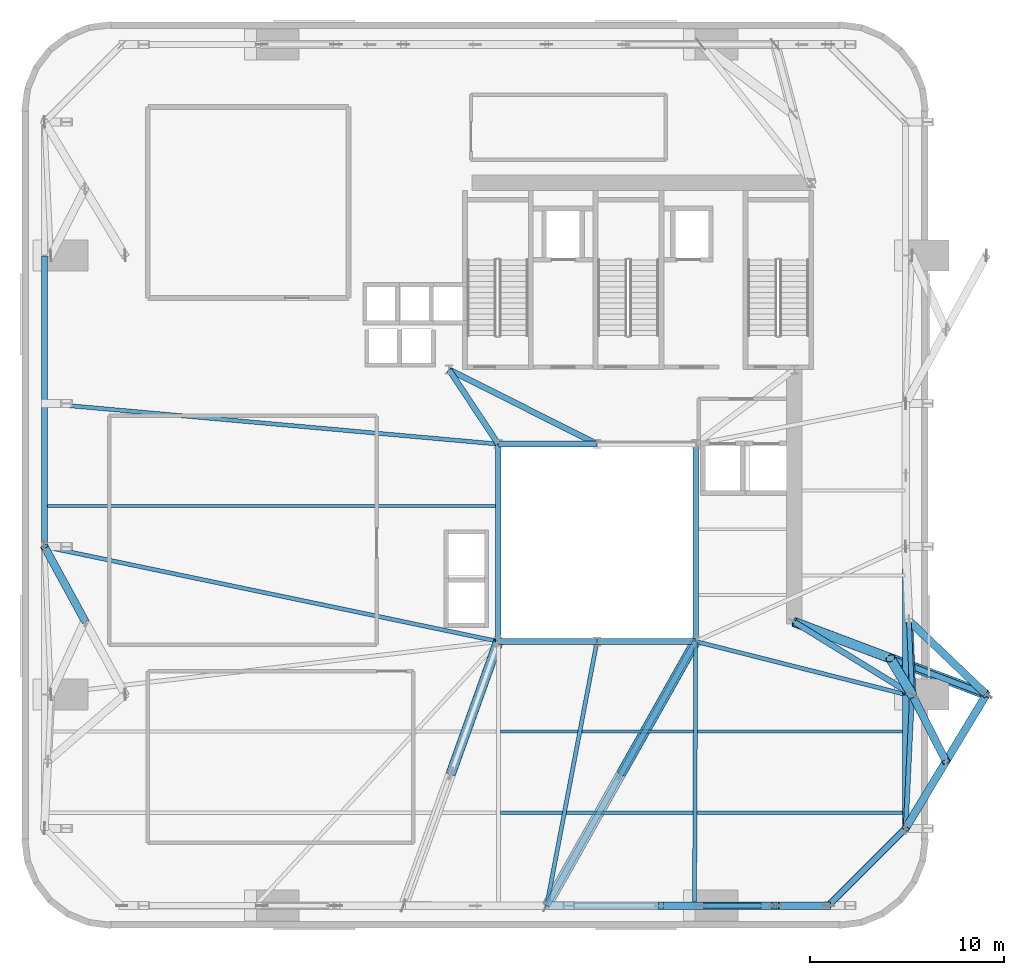
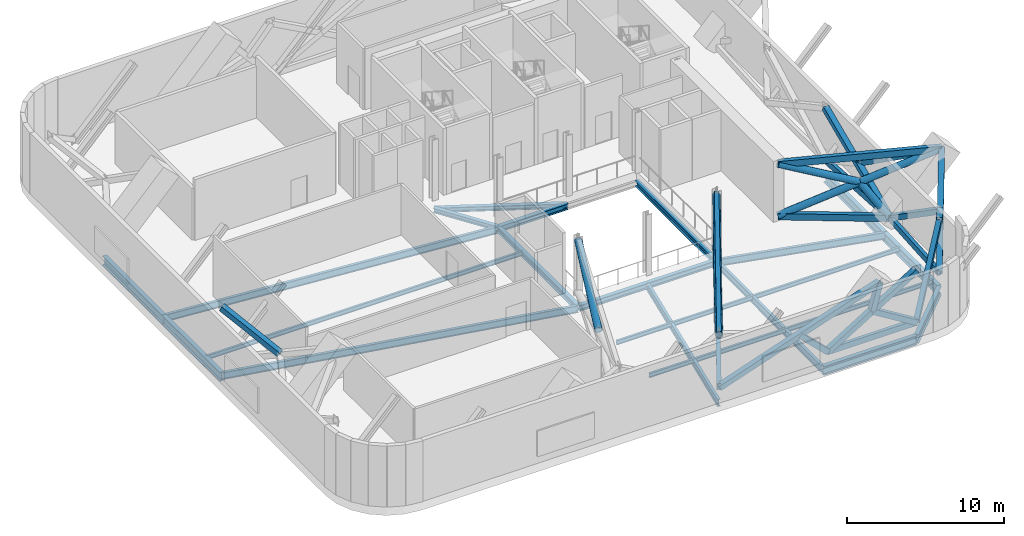
# One storey, part 2 of 12: 25 members, 21 beams.
"""IFC4 building model written with IfcOpenShell, lengths in metres."""

from ifc_helpers import new_model, si_unit, direction, frame, origin, origin_2d, place, context, subcontext, project, spatial, hollow_rectangle, hollow_circle, i_section, extrude, source, transform, mapped, material, material_profile, profile_set, type_object, element, save


model = new_model("IFC4")

# Units and contexts
model_context = context("Model", 3, precision=1e-05, world=origin(), true_north=direction((0.0, 1.0)))
body_context = subcontext(model_context, "Body", "Model", "MODEL_VIEW")
ifc_project = project(units=[si_unit("LENGTHUNIT", "METRE"), si_unit("AREAUNIT", "SQUARE_METRE"), si_unit("VOLUMEUNIT", "CUBIC_METRE"), si_unit("PLANEANGLEUNIT", "RADIAN"), si_unit("MASSUNIT", "GRAM", prefix="KILO")], contexts=[model_context])

# Site, building, storey
site_placement = place(None, origin())
site = spatial("IfcSite", under=ifc_project, at=site_placement, CompositionType="ELEMENT")
building_placement = place(site_placement, origin())
building = spatial("IfcBuilding", under=site, at=building_placement, Name="Vardaveli Station Tower", CompositionType="ELEMENT")
storey_placement = place(building_placement, frame((0.0, 0.0, 166.800048828125)))
storey = spatial("IfcBuildingStorey", under=building, at=storey_placement, Name="L43", CompositionType="ELEMENT", Elevation=166.800048828125)

# Beams
ifc_material_1 = material(Name="Structural steel S355J2", Category="steel")
ifc_material_profile_1 = material_profile(ifc_material_1, i_section(OverallWidth=0.300048828125, OverallDepth=0.449951171875, WebThickness=0.013916015625, FlangeThickness=0.02587890625, FilletRadius=0.027099609375, at=origin_2d()), Name="HEB 450")
ifc_profile_set_1 = profile_set([ifc_material_profile_1], Name="Structural steel S355J2")
beam_type_1 = type_object("IfcBeamType", Name="BM-HEB450", PredefinedType="BEAM", material=ifc_profile_set_1)
shared_shape_1 = source(origin(), body_context, "Body", "SweptSolid", [
    extrude(i_section(OverallWidth=0.300048828125, OverallDepth=0.449951171875, WebThickness=0.013916015625, FlangeThickness=0.02587890625, FilletRadius=0.027099609375, at=origin_2d()), origin(), (0.0, 0.0, 1.0), 5.06005859375),
])
for number, where, z_axis, x_axis, name in (
    (1, (31.219970703125, 16.60009765625, -0.875), (1.0, 0.0, 0.0), (0.0, 1.0, 0.0), "ABM-L43-01"),
    (2, (36.280029296875, 26.800048828125, -0.875), (-1.0, 0.0, 0.0), (0.0, -1.0, 0.0), "ABM-L43-05"),
):
    element("IfcBeam", number, at=place(storey_placement, frame(where, z_axis=z_axis, x_axis=x_axis)), inside=storey, type_object=beam_type_1, Name=name, PredefinedType="BEAM", context=body_context, shape_type="MappedRepresentation", body=[
        mapped(shared_shape_1, transform((0.0, 0.0, 0.0), scale=1.0)),
    ])
shared_shape_2 = source(origin(), body_context, "Body", "SweptSolid", [
    extrude(i_section(OverallWidth=0.300048828125, OverallDepth=0.449951171875, WebThickness=0.013916015625, FlangeThickness=0.02587890625, FilletRadius=0.027099609375, at=origin_2d()), origin(), (0.0, 0.0, 1.0), 5.059814453125),
])
beam_1_placement = place(storey_placement, frame((36.320068359375, 16.60009765625, -0.875), z_axis=(1.0, 0.0, 0.0), x_axis=(0.0, 1.0, 0.0)))
element("IfcBeam", 3, at=beam_1_placement, inside=storey, type_object=beam_type_1, Name="ABM-L43-02", PredefinedType="BEAM", context=body_context, shape_type="MappedRepresentation", body=[
    mapped(shared_shape_2, transform((0.0, 0.0, 0.0), scale=1.0)),
])
shared_shape_3 = source(origin(), body_context, "Body", "SweptSolid", [
    extrude(i_section(OverallWidth=0.300048828125, OverallDepth=0.449951171875, WebThickness=0.013916015625, FlangeThickness=0.02587890625, FilletRadius=0.027099609375, at=origin_2d()), origin(), (0.0, 0.0, 1.0), 10.159912109375),
])
for number, where, z_axis, x_axis, name in (
    (4, (41.39990234375, 16.6201171875, -0.875), (0.0, 1.0, 0.0), (-1.0, 0.0, 0.0), "ABM-L43-03"),
    (5, (31.199951171875, 26.780029296875, -0.875), (0.0, -1.0, 0.0), (1.0, 0.0, 0.0), "ABM-L43-06"),
):
    element("IfcBeam", number, at=place(storey_placement, frame(where, z_axis=z_axis, x_axis=x_axis)), inside=storey, type_object=beam_type_1, Name=name, PredefinedType="BEAM", context=body_context, shape_type="MappedRepresentation", body=[
        mapped(shared_shape_3, transform((0.0, 0.0, 0.0), scale=1.0)),
    ])
ifc_material_profile_2 = material_profile(ifc_material_1, i_section(OverallWidth=0.300048828125, OverallDepth=0.360107421875, WebThickness=0.012451171875, FlangeThickness=0.0224609375, FilletRadius=0.027099609375, at=origin_2d()), Name="HEB 360")
ifc_profile_set_2 = profile_set([ifc_material_profile_2], Name="Structural steel S355J2")
beam_type_2 = type_object("IfcBeamType", Name="BM-HEB360", PredefinedType="BEAM", material=ifc_profile_set_2)
shared_shape_4 = source(origin(), body_context, "Body", "SweptSolid", [
    extrude(i_section(OverallWidth=0.300048828125, OverallDepth=0.360107421875, WebThickness=0.012451171875, FlangeThickness=0.0224609375, FilletRadius=0.027099609375, at=origin_2d()), origin(), (0.0, 0.0, 1.0), 4.577880859375),
])
beam_2_placement = place(storey_placement, frame((31.18896484375, 26.816650390625, -0.830078125), z_axis=(-0.55218702139, 0.833720272879, 0.0), x_axis=(-0.833720272879, -0.55218702139, 0.0)))
element("IfcBeam", 6, at=beam_2_placement, inside=storey, type_object=beam_type_2, Name="CBM-L43-01", PredefinedType="BEAM", context=body_context, shape_type="MappedRepresentation", body=[
    mapped(shared_shape_4, transform((0.0, 0.0, 0.0), scale=1.0)),
])
shared_shape_5 = source(origin(), body_context, "Body", "SweptSolid", [
    extrude(i_section(OverallWidth=0.300048828125, OverallDepth=0.360107421875, WebThickness=0.012451171875, FlangeThickness=0.0224609375, FilletRadius=0.027099609375, at=origin_2d()), origin(), (0.0, 0.0, 1.0), 8.524169921875),
])
beam_3_placement = place(storey_placement, frame((28.66796875, 30.64111328125, -0.830078125), z_axis=(0.893255584708, -0.449549174605, 0.0), x_axis=(0.449549174605, 0.893255584708, 0.0)))
element("IfcBeam", 7, at=beam_3_placement, inside=storey, type_object=beam_type_2, Name="CBM-L43-03", PredefinedType="BEAM", context=body_context, shape_type="MappedRepresentation", body=[
    mapped(shared_shape_5, transform((0.0, 0.0, 0.0), scale=1.0)),
])
ifc_material_2 = material(Name="Structural steel S460M", Category="steel")
ifc_material_profile_3 = material_profile(ifc_material_2, i_section(OverallWidth=0.303955078125, OverallDepth=0.716064453125, WebThickness=0.02099609375, FlangeThickness=0.0400390625, FilletRadius=0.027099609375, at=origin_2d()), Name="HEM 700")
ifc_profile_set_3 = profile_set([ifc_material_profile_3], Name="Structural steel S460M")
beam_type_3 = type_object("IfcBeamType", Name="BM-HEM700", PredefinedType="BEAM", material=ifc_profile_set_3)
shared_shape_6 = source(origin(), body_context, "Body", "SweptSolid", [
    extrude(i_section(OverallWidth=0.303955078125, OverallDepth=0.716064453125, WebThickness=0.02099609375, FlangeThickness=0.0400390625, FilletRadius=0.027099609375, at=origin_2d()), origin(), (0.0, 0.0, 1.0), 7.60009765625),
])
for number, where, z_axis, x_axis, name in (
    (8, (52.25, 13.8798828125, -1.008056640625), (0.0, 1.0, 0.0), (-1.0, 0.0, 0.0), "RBM-L43-07"),
    (9, (7.75, 36.52001953125, -1.008056640625), (0.0, -1.0, 0.0), (1.0, 0.0, 0.0), "RBM-L43-19"),
):
    element("IfcBeam", number, at=place(storey_placement, frame(where, z_axis=z_axis, x_axis=x_axis)), inside=storey, type_object=beam_type_3, Name=name, PredefinedType="BEAM", context=body_context, shape_type="MappedRepresentation", body=[
        mapped(shared_shape_6, transform((0.0, 0.0, 0.0), scale=1.0)),
    ])
shared_shape_7 = source(origin(), body_context, "Body", "SweptSolid", [
    extrude(i_section(OverallWidth=0.303955078125, OverallDepth=0.716064453125, WebThickness=0.02099609375, FlangeThickness=0.0400390625, FilletRadius=0.027099609375, at=origin_2d()), origin(), (0.0, 0.0, 1.0), 7.35986328125),
])
beam_4_placement = place(storey_placement, frame((7.75, 28.8798828125, -1.008056640625), z_axis=(0.0, -1.0, 0.0), x_axis=(1.0, 0.0, 0.0)))
element("IfcBeam", 10, at=beam_4_placement, inside=storey, type_object=beam_type_3, Name="RBM-L43-20", PredefinedType="BEAM", context=body_context, shape_type="MappedRepresentation", body=[
    mapped(shared_shape_7, transform((0.0, 0.0, 0.0), scale=1.0)),
])
shared_shape_8 = source(origin(), body_context, "Body", "SweptSolid", [
    extrude(i_section(OverallWidth=0.303955078125, OverallDepth=0.716064453125, WebThickness=0.02099609375, FlangeThickness=0.0400390625, FilletRadius=0.027099609375, at=origin_2d()), origin(), (0.0, 0.0, 1.0), 6.869873046875),
])
beam_5_placement = place(storey_placement, frame((41.360107421875, 2.949951171875, -1.008056640625), z_axis=(1.0, 0.0, 0.0), x_axis=(0.0, 1.0, 0.0)))
element("IfcBeam", 11, at=beam_5_placement, inside=storey, type_object=beam_type_3, Name="RBM-L43-04", PredefinedType="BEAM", context=body_context, shape_type="MappedRepresentation", body=[
    mapped(shared_shape_8, transform((0.0, 0.0, 0.0), scale=1.0)),
])
shared_shape_9 = source(origin(), body_context, "Body", "SweptSolid", [
    extrude(i_section(OverallWidth=0.303955078125, OverallDepth=0.716064453125, WebThickness=0.02099609375, FlangeThickness=0.0400390625, FilletRadius=0.027099609375, at=origin_2d()), origin(), (0.0, 0.0, 1.0), 5.61669921875),
])
beam_6_placement = place(storey_placement, frame((48.26416015625, 2.964111328125, -1.008056640625), z_axis=(0.707106781187, 0.707106781187, 0.0), x_axis=(-0.707106781187, 0.707106781187, 0.0)))
element("IfcBeam", 12, at=beam_6_placement, inside=storey, type_object=beam_type_3, Name="RBM-L43-05", PredefinedType="BEAM", context=body_context, shape_type="MappedRepresentation", body=[
    mapped(shared_shape_9, transform((0.0, 0.0, 0.0), scale=1.0)),
])
shared_shape_10 = source(origin(), body_context, "Body", "SweptSolid", [
    extrude(i_section(OverallWidth=0.303955078125, OverallDepth=0.716064453125, WebThickness=0.02099609375, FlangeThickness=0.0400390625, FilletRadius=0.027099609375, at=origin_2d()), origin(), (0.0, 0.0, 1.0), 6.8701171875),
])
beam_7_placement = place(storey_placement, frame((52.25, 6.969970703125, -1.008056640625), z_axis=(0.0, 1.0, 0.0), x_axis=(-1.0, 0.0, 0.0)))
element("IfcBeam", 13, at=beam_7_placement, inside=storey, type_object=beam_type_3, Name="RBM-L43-06", PredefinedType="BEAM", context=body_context, shape_type="MappedRepresentation", body=[
    mapped(shared_shape_10, transform((0.0, 0.0, 0.0), scale=1.0)),
])
ifc_material_profile_4 = material_profile(ifc_material_1, i_section(OverallWidth=0.159912109375, OverallDepth=0.330078125, WebThickness=0.007568359375, FlangeThickness=0.011474609375, FilletRadius=0.01806640625, at=origin_2d()), Name="IPE 330")
ifc_profile_set_4 = profile_set([ifc_material_profile_4], Name="Structural steel S355J2")
beam_type_4 = type_object("IfcBeamType", Name="BM-IPE330", PredefinedType="JOIST", material=ifc_profile_set_4)
shared_shape_11 = source(origin(), body_context, "Body", "SweptSolid", [
    extrude(i_section(OverallWidth=0.159912109375, OverallDepth=0.330078125, WebThickness=0.007568359375, FlangeThickness=0.011474609375, FilletRadius=0.01806640625, at=origin_2d()), origin(), (0.0, 0.0, 1.0), 23.2978515625),
])
beam_8_placement = place(storey_placement, frame((7.7900390625, 23.60009765625, -0.81494140625), z_axis=(1.0, 0.0, 0.0), x_axis=(0.0, 1.0, 0.0)))
element("IfcBeam", 14, at=beam_8_placement, inside=storey, type_object=beam_type_4, Name="SJ-L43-W06", PredefinedType="JOIST", context=body_context, shape_type="MappedRepresentation", body=[
    mapped(shared_shape_11, transform((0.0, 0.0, 0.0), scale=1.0)),
])
shared_shape_12 = source(origin(), body_context, "Body", "SweptSolid", [
    extrude(i_section(OverallWidth=0.159912109375, OverallDepth=0.330078125, WebThickness=0.007568359375, FlangeThickness=0.011474609375, FilletRadius=0.01806640625, at=origin_2d()), origin(), (0.0, 0.0, 1.0), 20.89794921875),
])
for number, where, z_axis, x_axis, name in (
    (15, (31.31201171875, 7.75, -0.81494140625), (1.0, 0.0, 0.0), (0.0, 1.0, 0.0), "SJ-L43-S02"),
    (16, (31.31201171875, 11.949951171875, -0.81494140625), (1.0, 0.0, 0.0), (0.0, 1.0, 0.0), "SJ-L43-S04"),
):
    element("IfcBeam", number, at=place(storey_placement, frame(where, z_axis=z_axis, x_axis=x_axis)), inside=storey, type_object=beam_type_4, Name=name, PredefinedType="JOIST", context=body_context, shape_type="MappedRepresentation", body=[
        mapped(shared_shape_12, transform((0.0, 0.0, 0.0), scale=1.0)),
    ])
ifc_material_profile_5 = material_profile(ifc_material_1, i_section(OverallWidth=0.2099609375, OverallDepth=0.550048828125, WebThickness=0.010986328125, FlangeThickness=0.01708984375, FilletRadius=0.02392578125, at=origin_2d()), Name="IPE 550")
ifc_profile_set_5 = profile_set([ifc_material_profile_5], Name="Structural steel S355J2")
beam_type_5 = type_object("IfcBeamType", Name="BM-IPE550", PredefinedType="BEAM", material=ifc_profile_set_5)
shared_shape_13 = source(origin(), body_context, "Body", "SweptSolid", [
    extrude(i_section(OverallWidth=0.2099609375, OverallDepth=0.550048828125, WebThickness=0.010986328125, FlangeThickness=0.01708984375, FilletRadius=0.02392578125, at=origin_2d()), origin(), (0.0, 0.0, 1.0), 13.855224609375),
])
beam_9_placement = place(storey_placement, frame((33.703857421875, 2.9697265625, -0.925048828125), z_axis=(0.187097533125, 0.982341342456, 0.0), x_axis=(-0.982341342456, 0.187097533125, 0.0)))
element("IfcBeam", 17, at=beam_9_placement, inside=storey, type_object=beam_type_5, Name="GBM-L43-03", PredefinedType="BEAM", context=body_context, shape_type="MappedRepresentation", body=[
    mapped(shared_shape_13, transform((0.0, 0.0, 0.0), scale=1.0)),
])
shared_shape_14 = source(origin(), body_context, "Body", "SweptSolid", [
    extrude(i_section(OverallWidth=0.2099609375, OverallDepth=0.550048828125, WebThickness=0.010986328125, FlangeThickness=0.01708984375, FilletRadius=0.02392578125, at=origin_2d()), origin(), (0.0, 0.0, 1.0), 13.6103515625),
])
beam_10_placement = place(storey_placement, frame((41.340087890625, 2.969970703125, -0.925048828125), z_axis=(0.004394812886, 0.999990342763, 0.0), x_axis=(-0.999990342763, 0.004394812886, 0.0)))
element("IfcBeam", 18, at=beam_10_placement, inside=storey, type_object=beam_type_5, Name="GBM-L43-04", PredefinedType="BEAM", context=body_context, shape_type="MappedRepresentation", body=[
    mapped(shared_shape_14, transform((0.0, 0.0, 0.0), scale=1.0)),
])
shared_shape_15 = source(origin(), body_context, "Body", "SweptSolid", [
    extrude(i_section(OverallWidth=0.2099609375, OverallDepth=0.550048828125, WebThickness=0.010986328125, FlangeThickness=0.01708984375, FilletRadius=0.02392578125, at=origin_2d()), origin(), (0.0, 0.0, 1.0), 11.150634765625),
])
beam_11_placement = place(storey_placement, frame((52.230712890625, 13.864990234375, -0.925048828125), z_axis=(-0.969561465826, 0.244848042642, 0.0), x_axis=(-0.244848042642, -0.969561465826, 0.0)))
element("IfcBeam", 19, at=beam_11_placement, inside=storey, type_object=beam_type_5, Name="GBM-L43-05", PredefinedType="BEAM", context=body_context, shape_type="MappedRepresentation", body=[
    mapped(shared_shape_15, transform((0.0, 0.0, 0.0), scale=1.0)),
])
shared_shape_16 = source(origin(), body_context, "Body", "SweptSolid", [
    extrude(i_section(OverallWidth=0.2099609375, OverallDepth=0.550048828125, WebThickness=0.010986328125, FlangeThickness=0.01708984375, FilletRadius=0.02392578125, at=origin_2d()), origin(), (0.0, 0.0, 1.0), 23.50390625),
])
beam_12_placement = place(storey_placement, frame((7.77001953125, 28.898193359375, -0.925048828125), z_axis=(0.996014142198, -0.08919545135, 0.0), x_axis=(0.08919545135, 0.996014142198, 0.0)))
element("IfcBeam", 20, at=beam_12_placement, inside=storey, type_object=beam_type_5, Name="GBM-L43-08", PredefinedType="BEAM", context=body_context, shape_type="MappedRepresentation", body=[
    mapped(shared_shape_16, transform((0.0, 0.0, 0.0), scale=1.0)),
])
shared_shape_17 = source(origin(), body_context, "Body", "SweptSolid", [
    extrude(i_section(OverallWidth=0.2099609375, OverallDepth=0.550048828125, WebThickness=0.010986328125, FlangeThickness=0.01708984375, FilletRadius=0.02392578125, at=origin_2d()), origin(), (0.0, 0.0, 1.0), 23.91650390625),
])
beam_13_placement = place(storey_placement, frame((7.76953125, 21.495849609375, -0.925048828125), z_axis=(0.978858547354, -0.204538368703, 0.0), x_axis=(0.204538368703, 0.978858547354, 0.0)))
element("IfcBeam", 21, at=beam_13_placement, inside=storey, type_object=beam_type_5, Name="GBM-L43-09", PredefinedType="BEAM", context=body_context, shape_type="MappedRepresentation", body=[
    mapped(shared_shape_17, transform((0.0, 0.0, 0.0), scale=1.0)),
])

# Members
ifc_material_profile_6 = material_profile(ifc_material_2, hollow_rectangle(XDim=0.39990234375, YDim=0.39990234375, WallThickness=0.02001953125, at=origin_2d()), Name="RHS 400x400x20")
ifc_profile_set_6 = profile_set([ifc_material_profile_6], Name="Structural steel S460M")
member_type_1 = type_object("IfcMemberType", Name="MEM-BR-RHS400", PredefinedType="BRACE", material=ifc_profile_set_6)
shared_shape_18 = source(origin(), body_context, "Body", "SweptSolid", [
    extrude(hollow_rectangle(XDim=0.39990234375, YDim=0.39990234375, WallThickness=0.02001953125, at=origin_2d()), origin(), (0.0, 0.0, 1.0), 12.483642578125),
])
member_1_placement = place(storey_placement, frame((33.699951171875, 2.949951171875, 0.349853515625), z_axis=(0.945909769038, 0.0, 0.32442982113), x_axis=(0.0, 1.0, 0.0)))
element("IfcMember", 22, at=member_1_placement, inside=storey, type_object=member_type_1, Name="BLT-L43-D1-03", PredefinedType="BRACE", context=body_context, shape_type="MappedRepresentation", body=[
    mapped(shared_shape_18, transform((0.0, 0.0, 0.0), scale=1.0)),
])
shared_shape_19 = source(origin(), body_context, "Body", "SweptSolid", [
    extrude(hollow_rectangle(XDim=0.39990234375, YDim=0.39990234375, WallThickness=0.02001953125, at=origin_2d()), origin(), (0.0, 0.0, 1.0), 2.89404296875),
])
member_2_placement = place(storey_placement, frame((41.671630859375, 2.949951171875, 0.349853515625), z_axis=(-0.714366327095, 0.0, 0.69977192764), x_axis=(0.0, -1.0, 0.0)))
element("IfcMember", 23, at=member_2_placement, inside=storey, type_object=member_type_1, Name="BLT-L43-D2A-03", PredefinedType="BRACE", context=body_context, shape_type="MappedRepresentation", body=[
    mapped(shared_shape_19, transform((0.0, 0.0, 0.0), scale=1.0)),
])
ifc_material_profile_7 = material_profile(ifc_material_2, hollow_rectangle(XDim=0.25, YDim=0.449951171875, WallThickness=0.01611328125, at=origin_2d()), Name="RHS 450x250x16")
ifc_profile_set_7 = profile_set([ifc_material_profile_7], Name="Structural steel S460M")
member_type_2 = type_object("IfcMemberType", Name="MEM-CH-RHS450", PredefinedType="CHORD", material=ifc_profile_set_7)
shared_shape_20 = source(origin(), body_context, "Body", "SweptSolid", [
    extrude(hollow_rectangle(XDim=0.25, YDim=0.449951171875, WallThickness=0.01611328125, at=origin_2d()), origin(), (0.0, 0.0, 1.0), 6.578369140625),
])
member_3_placement = place(storey_placement, frame((41.671630859375, 2.949951171875, 0.349853515625), z_axis=(1.0, 0.0, 0.0), x_axis=(0.0, 1.0, 0.0)))
element("IfcMember", 24, at=member_3_placement, inside=storey, type_object=member_type_2, Name="BLT-L43-CH-04", PredefinedType="CHORD", context=body_context, shape_type="MappedRepresentation", body=[
    mapped(shared_shape_20, transform((0.0, 0.0, 0.0), scale=1.0)),
])
shared_shape_21 = source(origin(), body_context, "Body", "SweptSolid", [
    extrude(hollow_rectangle(XDim=0.39990234375, YDim=0.39990234375, WallThickness=0.02001953125, at=origin_2d()), origin(), (0.0, 0.0, 1.0), 7.72509765625),
])
member_4_placement = place(storey_placement, frame((41.671630859375, 2.949951171875, 0.349853515625), z_axis=(0.851553045358, 0.0, 0.524268453125), x_axis=(0.0, 1.0, 0.0)))
element("IfcMember", 25, at=member_4_placement, inside=storey, type_object=member_type_1, Name="BLT-L43-D1-04", PredefinedType="BRACE", context=body_context, shape_type="MappedRepresentation", body=[
    mapped(shared_shape_21, transform((0.0, 0.0, 0.0), scale=1.0)),
])
shared_shape_22 = source(origin(), body_context, "Body", "SweptSolid", [
    extrude(hollow_rectangle(XDim=0.39990234375, YDim=0.39990234375, WallThickness=0.02001953125, at=origin_2d()), origin(), (0.0, 0.0, 1.0), 3.86279296875),
])
member_5_placement = place(storey_placement, frame((48.25, 2.949951171875, 0.349853515625), z_axis=(-0.851547622883, 0.0, 0.524277260581), x_axis=(0.0, -1.0, 0.0)))
element("IfcMember", 26, at=member_5_placement, inside=storey, type_object=member_type_1, Name="BLT-L43-D2A-04", PredefinedType="BRACE", context=body_context, shape_type="MappedRepresentation", body=[
    mapped(shared_shape_22, transform((0.0, 0.0, 0.0), scale=1.0)),
])
shared_shape_23 = source(origin(), body_context, "Body", "SweptSolid", [
    extrude(hollow_rectangle(XDim=0.39990234375, YDim=0.39990234375, WallThickness=0.02001953125, at=origin_2d()), origin(), (0.0, 0.0, 1.0), 2.09765625),
])
member_6_placement = place(storey_placement, frame((44.960693359375, 2.949951171875, 2.375), z_axis=(0.261058528046, 0.0, 0.965322974416), x_axis=(0.0, 1.0, 0.0)))
element("IfcMember", 27, at=member_6_placement, inside=storey, type_object=member_type_1, Name="BLT-L43-D2B-04", PredefinedType="BRACE", context=body_context, shape_type="MappedRepresentation", body=[
    mapped(shared_shape_23, transform((0.0, 0.0, 0.0), scale=1.0)),
])
shared_shape_24 = source(origin(), body_context, "Body", "SweptSolid", [
    extrude(hollow_rectangle(XDim=0.25, YDim=0.449951171875, WallThickness=0.01611328125, at=origin_2d()), origin(), (0.0, 0.0, 1.0), 6.918212890625),
])
member_7_placement = place(storey_placement, frame((52.25, 6.949951171875, 0.349853515625), z_axis=(0.047923955643, 0.998850987122, 0.0), x_axis=(-0.998850987122, 0.047923955643, 0.0)))
element("IfcMember", 28, at=member_7_placement, inside=storey, type_object=member_type_2, Name="BLT-L43-CH-05", PredefinedType="CHORD", context=body_context, shape_type="MappedRepresentation", body=[
    mapped(shared_shape_24, transform((0.0, 0.0, 0.0), scale=1.0)),
])
shared_shape_25 = source(origin(), body_context, "Body", "SweptSolid", [
    extrude(hollow_rectangle(XDim=0.39990234375, YDim=0.39990234375, WallThickness=0.02001953125, at=origin_2d()), origin(), (0.0, 0.0, 1.0), 9.029296875),
])
member_8_placement = place(storey_placement, frame((52.25, 6.949951171875, 0.349853515625), z_axis=(0.461656301729, 0.765299283363, 0.448542602166), x_axis=(-0.856267946207, 0.516531900563, 0.0)))
element("IfcMember", 29, at=member_8_placement, inside=storey, type_object=member_type_1, Name="BLT-L43-D1-05", PredefinedType="BRACE", context=body_context, shape_type="MappedRepresentation", body=[
    mapped(shared_shape_25, transform((0.0, 0.0, 0.0), scale=1.0)),
])
shared_shape_26 = source(origin(), body_context, "Body", "SweptSolid", [
    extrude(hollow_rectangle(XDim=0.39990234375, YDim=0.39990234375, WallThickness=0.02001953125, at=origin_2d()), origin(), (0.0, 0.0, 1.0), 4.37158203125),
])
member_9_placement = place(storey_placement, frame((52.58154296875, 13.860107421875, 0.349853515625), z_axis=(0.400927479956, -0.790350424341, 0.463253022181), x_axis=(0.89181581989, 0.452398655384, 0.0)))
element("IfcMember", 30, at=member_9_placement, inside=storey, type_object=member_type_1, Name="BLT-L43-D2A-05", PredefinedType="BRACE", context=body_context, shape_type="MappedRepresentation", body=[
    mapped(shared_shape_26, transform((0.0, 0.0, 0.0), scale=1.0)),
])
shared_shape_27 = source(origin(), body_context, "Body", "SweptSolid", [
    extrude(hollow_rectangle(XDim=0.39990234375, YDim=0.39990234375, WallThickness=0.02001953125, at=origin_2d()), origin(), (0.0, 0.0, 1.0), 4.5146484375),
])
member_10_placement = place(storey_placement, frame((54.334228515625, 10.405029296875, 2.375), z_axis=(-0.461661900604, -0.765308564759, 0.448521003117), x_axis=(0.856267946207, -0.516531900563, 0.0)))
element("IfcMember", 31, at=member_10_placement, inside=storey, type_object=member_type_1, Name="BLT-L43-D2B-05", PredefinedType="BRACE", context=body_context, shape_type="MappedRepresentation", body=[
    mapped(shared_shape_27, transform((0.0, 0.0, 0.0), scale=1.0)),
])
shared_shape_28 = source(origin(), body_context, "Body", "SweptSolid", [
    extrude(hollow_rectangle(XDim=0.25, YDim=0.449951171875, WallThickness=0.01611328125, at=origin_2d()), origin(), (0.0, 0.0, 1.0), 7.64697265625),
])
member_11_placement = place(storey_placement, frame((52.58154296875, 13.860107421875, 0.349853515625), z_axis=(-0.043355481573, 0.999059709035, 0.0), x_axis=(-0.999059709035, -0.043355481573, 0.0)))
element("IfcMember", 32, at=member_11_placement, inside=storey, type_object=member_type_2, Name="BLT-L43-CH-06", PredefinedType="CHORD", context=body_context, shape_type="MappedRepresentation", body=[
    mapped(shared_shape_28, transform((0.0, 0.0, 0.0), scale=1.0)),
])
shared_shape_29 = source(origin(), body_context, "Body", "SweptSolid", [
    extrude(hollow_rectangle(XDim=0.39990234375, YDim=0.39990234375, WallThickness=0.02001953125, at=origin_2d()), origin(), (0.0, 0.0, 1.0), 8.6533203125),
])
member_12_placement = place(storey_placement, frame((52.58154296875, 13.860107421875, 0.349853515625), z_axis=(-0.038313749646, 0.882880830382, 0.468031511687), x_axis=(-0.999059709035, -0.043355481573, 0.0)))
element("IfcMember", 33, at=member_12_placement, inside=storey, type_object=member_type_1, Name="BLT-L43-D1-06", PredefinedType="BRACE", context=body_context, shape_type="MappedRepresentation", body=[
    mapped(shared_shape_29, transform((0.0, 0.0, 0.0), scale=1.0)),
])
shared_shape_30 = source(origin(), body_context, "Body", "SweptSolid", [
    extrude(hollow_rectangle(XDim=0.39990234375, YDim=0.39990234375, WallThickness=0.02001953125, at=origin_2d()), origin(), (0.0, 0.0, 1.0), 5.891845703125),
])
member_13_placement = place(storey_placement, frame((52.415771484375, 17.679931640625, 2.375), z_axis=(0.679370659398, -0.648333841838, 0.343684065206), x_axis=(0.69038863542, 0.72343868578, 0.0)))
element("IfcMember", 34, at=member_13_placement, inside=storey, type_object=member_type_1, Name="BLT-L43-D2B-06", PredefinedType="BRACE", context=body_context, shape_type="MappedRepresentation", body=[
    mapped(shared_shape_30, transform((0.0, 0.0, 0.0), scale=1.0)),
])
shared_shape_31 = source(origin(), body_context, "Body", "SweptSolid", [
    extrude(hollow_rectangle(XDim=0.39990234375, YDim=0.39990234375, WallThickness=0.02001953125, at=origin_2d()), origin(), (0.0, 0.0, 1.0), 4.7998046875),
])
member_14_placement = place(storey_placement, frame((9.834228515625, 17.679931640625, 2.375), z_axis=(-0.434241035419, 0.795896624247, 0.421880654535), x_axis=(-0.877841965924, -0.478950397079, 0.0)))
element("IfcMember", 35, at=member_14_placement, inside=storey, type_object=member_type_1, Name="BLT-L43-D2B-14", PredefinedType="BRACE", context=body_context, shape_type="MappedRepresentation", body=[
    mapped(shared_shape_31, transform((0.0, 0.0, 0.0), scale=1.0)),
])
ifc_material_profile_8 = material_profile(ifc_material_2, hollow_rectangle(XDim=0.35009765625, YDim=0.35009765625, WallThickness=0.01611328125, at=origin_2d()), Name="RHS 350x350x16")
ifc_profile_set_8 = profile_set([ifc_material_profile_8], Name="Structural steel S460M")
member_type_3 = type_object("IfcMemberType", Name="MEM-ST-RHS350", PredefinedType="STRUT", material=ifc_profile_set_8)
shared_shape_32 = source(origin(), body_context, "Body", "SweptSolid", [
    extrude(hollow_rectangle(XDim=0.35009765625, YDim=0.35009765625, WallThickness=0.01611328125, at=origin_2d()), origin(), (0.0, 0.0, 1.0), 6.957275390625),
])
member_15_placement = place(storey_placement, frame((48.25, 2.949951171875, 0.349853515625), z_axis=(0.574942376987, 0.574942376987, 0.582136175039), x_axis=(-0.707106781187, 0.707106781187, 0.0)))
element("IfcMember", 36, at=member_15_placement, inside=storey, type_object=member_type_3, Name="STRUT-L43-2", PredefinedType="STRUT", context=body_context, shape_type="MappedRepresentation", body=[
    mapped(shared_shape_32, transform((0.0, 0.0, 0.0), scale=1.0)),
])
ifc_material_profile_9 = material_profile(ifc_material_2, hollow_circle(Radius=0.25390625, WallThickness=0.02490234375, at=origin_2d()), Name="CHS 508x25")
ifc_profile_set_9 = profile_set([ifc_material_profile_9], Name="Structural steel S460M")
member_type_4 = type_object("IfcMemberType", Name="MEM-BR-CHS508", PredefinedType="BRACE", material=ifc_profile_set_9)
shared_shape_33 = source(origin(), body_context, "Body", "SweptSolid", [
    extrude(hollow_circle(Radius=0.25390625, WallThickness=0.02490234375, at=origin_2d()), origin(), (0.0, 0.0, 1.0), 7.529052734375),
])
member_16_placement = place(storey_placement, frame((28.75, 9.77490234375, 2.375), z_axis=(0.325402106785, 0.906521305161, 0.268947192195), x_axis=(-0.941199886416, 0.33785022393, 0.0)))
element("IfcMember", 37, at=member_16_placement, inside=storey, type_object=member_type_4, Name="OUT-L43-OA1-D2B", PredefinedType="BRACE", context=body_context, shape_type="MappedRepresentation", body=[
    mapped(shared_shape_33, transform((0.0, 0.0, 0.0), scale=1.0)),
])
ifc_material_profile_10 = material_profile(ifc_material_2, hollow_rectangle(XDim=0.300048828125, YDim=0.5, WallThickness=0.02001953125, at=origin_2d()), Name="RHS 500x300x20")
ifc_profile_set_10 = profile_set([ifc_material_profile_10], Name="Structural steel S460M")
member_type_5 = type_object("IfcMemberType", Name="MEM-CH-RHS500", PredefinedType="CHORD", material=ifc_profile_set_10)
shared_shape_34 = source(origin(), body_context, "Body", "SweptSolid", [
    extrude(hollow_rectangle(XDim=0.300048828125, YDim=0.5, WallThickness=0.02001953125, at=origin_2d()), origin(), (0.0, 0.0, 1.0), 15.672119140625),
])
for number, where, z_axis, x_axis, name in (
    (38, (41.39990234375, 16.60009765625, 0.349853515625), (-0.491314823632, -0.870982057266, 0.0), (0.870982057266, -0.491314823632, 0.0), "OUT-L43-OA2-CHB"),
    (39, (41.39990234375, 16.60009765625, 4.39990234375), (-0.491314823632, -0.870982057266, 0.0), (0.870982057266, -0.491314823632, 0.0), "OUT-L43-OA2-CHT"),
):
    element("IfcMember", number, at=place(storey_placement, frame(where, z_axis=z_axis, x_axis=x_axis)), inside=storey, type_object=member_type_5, Name=name, PredefinedType="CHORD", context=body_context, shape_type="MappedRepresentation", body=[
        mapped(shared_shape_34, transform((0.0, 0.0, 0.0), scale=1.0)),
    ])
shared_shape_35 = source(origin(), body_context, "Body", "SweptSolid", [
    extrude(hollow_circle(Radius=0.25390625, WallThickness=0.02490234375, at=origin_2d()), origin(), (0.0, 0.0, 1.0), 16.18701171875),
])
member_17_placement = place(storey_placement, frame((41.39990234375, 16.60009765625, 0.349853515625), z_axis=(-0.475687648593, -0.843278864913, 0.250203950744), x_axis=(0.870982057266, -0.491314823632, 0.0)))
element("IfcMember", 40, at=member_17_placement, inside=storey, type_object=member_type_4, Name="OUT-L43-OA2-D1", PredefinedType="BRACE", context=body_context, shape_type="MappedRepresentation", body=[
    mapped(shared_shape_35, transform((0.0, 0.0, 0.0), scale=1.0)),
])
shared_shape_36 = source(origin(), body_context, "Body", "SweptSolid", [
    extrude(hollow_circle(Radius=0.25390625, WallThickness=0.02490234375, at=origin_2d()), origin(), (0.0, 0.0, 1.0), 8.093505859375),
])
member_18_placement = place(storey_placement, frame((37.550048828125, 9.77490234375, 2.375), z_axis=(0.475671723735, 0.843292454102, 0.25018842518), x_axis=(-0.870992483629, 0.49129633976, 0.0)))
element("IfcMember", 41, at=member_18_placement, inside=storey, type_object=member_type_4, Name="OUT-L43-OA2-D2B", PredefinedType="BRACE", context=body_context, shape_type="MappedRepresentation", body=[
    mapped(shared_shape_36, transform((0.0, 0.0, 0.0), scale=1.0)),
])
shared_shape_37 = source(origin(), body_context, "Body", "SweptSolid", [
    extrude(hollow_rectangle(XDim=0.300048828125, YDim=0.5, WallThickness=0.02001953125, at=origin_2d()), origin(), (0.0, 0.0, 1.0), 7.139404296875),
])
member_19_placement = place(storey_placement, frame((46.5, 17.60009765625, 0.349853515625), z_axis=(0.85181443429, -0.523843649895, 0.0), x_axis=(0.523843649895, 0.85181443429, 0.0)))
element("IfcMember", 42, at=member_19_placement, inside=storey, type_object=member_type_5, Name="OUT-L43-OA3-CHB", PredefinedType="CHORD", context=body_context, shape_type="MappedRepresentation", body=[
    mapped(shared_shape_37, transform((0.0, 0.0, 0.0), scale=1.0)),
])
shared_shape_38 = source(origin(), body_context, "Body", "SweptSolid", [
    extrude(hollow_rectangle(XDim=0.300048828125, YDim=0.5, WallThickness=0.02001953125, at=origin_2d()), origin(), (0.0, 0.0, 1.0), 10.60009765625),
])
member_20_placement = place(storey_placement, frame((46.5, 17.60009765625, 4.39990234375), z_axis=(0.935689682975, -0.352824059801, 0.0), x_axis=(0.352824059801, 0.935689682975, 0.0)))
element("IfcMember", 43, at=member_20_placement, inside=storey, type_object=member_type_5, Name="OUT-L43-OA3-CHT", PredefinedType="CHORD", context=body_context, shape_type="MappedRepresentation", body=[
    mapped(shared_shape_38, transform((0.0, 0.0, 0.0), scale=1.0)),
])
shared_shape_39 = source(origin(), body_context, "Body", "SweptSolid", [
    extrude(hollow_circle(Radius=0.25390625, WallThickness=0.02490234375, at=origin_2d()), origin(), (0.0, 0.0, 1.0), 11.347412109375),
])
member_21_placement = place(storey_placement, frame((46.5, 17.60009765625, 0.349853515625), z_axis=(0.87406384362, -0.329586570679, 0.356910478556), x_axis=(0.352824059801, 0.935689682975, 0.0)))
element("IfcMember", 44, at=member_21_placement, inside=storey, type_object=member_type_4, Name="OUT-L43-OA3-D1", PredefinedType="BRACE", context=body_context, shape_type="MappedRepresentation", body=[
    mapped(shared_shape_39, transform((0.0, 0.0, 0.0), scale=1.0)),
])
shared_shape_40 = source(origin(), body_context, "Body", "SweptSolid", [
    extrude(hollow_circle(Radius=0.25390625, WallThickness=0.02490234375, at=origin_2d()), origin(), (0.0, 0.0, 1.0), 2.97607421875),
])
member_22_placement = place(storey_placement, frame((52.58154296875, 13.860107421875, 0.349853515625), z_axis=(-0.37710780015, 0.628294244365, 0.680467522784), x_axis=(-0.857413893097, -0.514627453527, 0.0)))
element("IfcMember", 45, at=member_22_placement, inside=storey, type_object=member_type_4, Name="OUT-L43-OA3-D2A", PredefinedType="BRACE", context=body_context, shape_type="MappedRepresentation", body=[
    mapped(shared_shape_40, transform((0.0, 0.0, 0.0), scale=1.0)),
])
shared_shape_41 = source(origin(), body_context, "Body", "SweptSolid", [
    extrude(hollow_circle(Radius=0.25390625, WallThickness=0.02490234375, at=origin_2d()), origin(), (0.0, 0.0, 1.0), 5.673828125),
])
member_23_placement = place(storey_placement, frame((51.459228515625, 15.72998046875, 2.375), z_axis=(-0.874064357053, 0.329608279182, 0.356889173308), x_axis=(-0.352844224241, -0.935682079245, 0.0)))
element("IfcMember", 46, at=member_23_placement, inside=storey, type_object=member_type_4, Name="OUT-L43-OA3-D2B", PredefinedType="BRACE", context=body_context, shape_type="MappedRepresentation", body=[
    mapped(shared_shape_41, transform((0.0, 0.0, 0.0), scale=1.0)),
])

save(model, "model.ifc")
